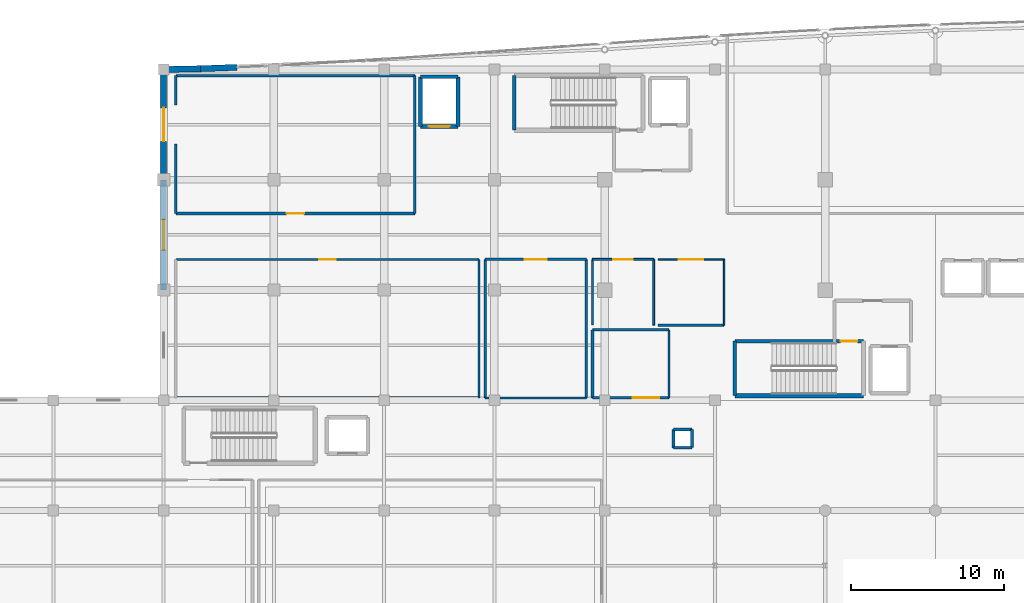
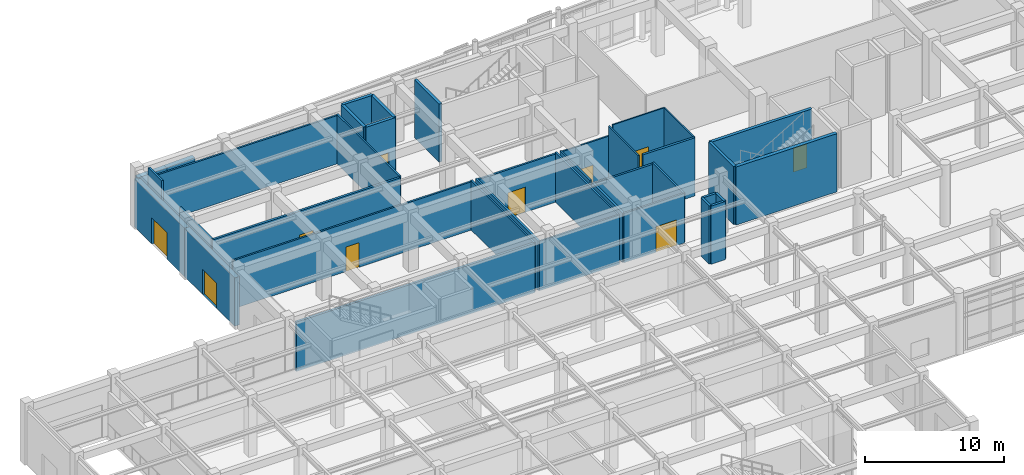
# One storey, part 76 of 102: 38 walls, 10 doors, 10 openings.
"""IFC4 building model written with IfcOpenShell, lengths in metres."""

from ifc_helpers import new_model, si_unit, direction, frame, frame_2d, origin, place, context, subcontext, project, spatial, rectangle, extrude, material, layer, layer_set, type_object, element, fill, save


model = new_model("IFC4")

# Units and contexts
model_context = context("Model", 3, precision=1e-05, world=origin(), true_north=direction((0.0, 1.0)))
body_context = subcontext(model_context, "Body", "Model", "MODEL_VIEW")
ifc_project = project(units=[si_unit("LENGTHUNIT", "METRE"), si_unit("AREAUNIT", "SQUARE_METRE"), si_unit("VOLUMEUNIT", "CUBIC_METRE"), si_unit("PLANEANGLEUNIT", "RADIAN"), si_unit("MASSUNIT", "GRAM", prefix="KILO")], contexts=[model_context])

# Site, building, storey
site_placement = place(None, origin())
site = spatial("IfcSite", under=ifc_project, at=site_placement, CompositionType="ELEMENT")
building_placement = place(site_placement, origin())
building = spatial("IfcBuilding", under=site, at=building_placement, Name="Carrowvane Square Congress Hotel", CompositionType="ELEMENT")
storey_placement = place(building_placement, origin())
storey = spatial("IfcBuildingStorey", under=building, at=storey_placement, Name="L00", CompositionType="ELEMENT", Elevation=0.0)

# Wall, opening, door
ifc_material_1 = material(Name="Glazed terracotta rainscreen", Category="masonry")
ifc_layer_1 = layer(ifc_material_1, 0.39990234375)
ifc_layer_set_1 = layer_set([ifc_layer_1], Name="Glazed terracotta rainscreen")
wall_type_1 = type_object("IfcWallType", Name="WL-EXT-TC400", PredefinedType="STANDARD", material=ifc_layer_set_1)
wall_1_placement = place(storey_placement, frame((33.199951171875, 99.0, 0.0), z_axis=(0.0, 0.0, 1.0), x_axis=(0.0, 1.0, 0.0)))
wall_1 = element("IfcWall", 1, at=wall_1_placement, inside=storey, type_object=wall_type_1, Name="L00 exterior facade wall 148", PredefinedType="STANDARD", context=body_context, shape_type="SweptSolid", body=[
    extrude(rectangle(XDim=7.199951171875, YDim=0.39990234375, at=frame_2d((3.60009765625, 0.0))), origin(), (0.0, 0.0, 1.0), 4.235107421875),
])
opening_1_placement = place(wall_1_placement, frame((2.60009765625, 0.0, 0.0)))
opening_1 = element("IfcOpeningElement", 2, at=opening_1_placement, cuts=wall_1, Name="Opening ED-1", PredefinedType="OPENING", context=body_context, shape_type="SweptSolid", body=[
    extrude(rectangle(XDim=2.0, YDim=2.199951171875, at=frame_2d((1.0, 1.10009765625))), frame((0.0, 0.2099609375, 0.0), z_axis=(0.0, -1.0, 0.0), x_axis=(1.0, 0.0, 0.0)), (0.0, 0.0, 1.0), 0.419921875),
])
ifc_material_2 = material(Name="Anodised aluminium", Category="aluminium")
door_type_1 = type_object("IfcDoorType", Name="DR-EXIT-2000", OperationType="DOUBLE_DOOR_SINGLE_SWING", PredefinedType="DOOR", material=ifc_material_2)
door_1_placement = place(opening_1_placement, origin())
door_1 = element("IfcDoor", 3, at=door_1_placement, inside=storey, type_object=door_type_1, Name="L00 final exit door ED-12", OperationType="DOUBLE_DOOR_SINGLE_SWING", OverallHeight=2.199951171875, OverallWidth=2.0, PredefinedType="DOOR", context=body_context, shape_type="SweptSolid", body=[
    extrude(rectangle(XDim=2.0, YDim=2.199951171875, at=frame_2d((1.0, 1.10009765625))), frame((0.0, 0.02490234375, 0.0), z_axis=(0.0, -1.0, 0.0), x_axis=(1.0, 0.0, 0.0)), (0.0, 0.0, 1.0), 0.050048828125),
])
fill(opening_1, door_1)

wall_2_placement = place(storey_placement, frame((33.199951171875, 106.199951171875, 0.0), z_axis=(0.0, 0.0, 1.0), x_axis=(0.0, 1.0, 0.0)))
wall_2 = element("IfcWall", 4, at=wall_2_placement, inside=storey, type_object=wall_type_1, Name="L00 exterior facade wall 149", PredefinedType="STANDARD", context=body_context, shape_type="SweptSolid", body=[
    extrude(rectangle(XDim=7.199951171875, YDim=0.39990234375, at=frame_2d((3.60009765625, 0.0))), origin(), (0.0, 0.0, 1.0), 4.235107421875),
])
opening_2_placement = place(wall_2_placement, frame((2.5, 0.0, 0.0)))
opening_2 = element("IfcOpeningElement", 5, at=opening_2_placement, cuts=wall_2, Name="Opening ED-2", PredefinedType="OPENING", context=body_context, shape_type="SweptSolid", body=[
    extrude(rectangle(XDim=2.199951171875, YDim=2.300048828125, at=frame_2d((1.10009765625, 1.14990234375))), frame((0.0, 0.2099609375, 0.0), z_axis=(0.0, -1.0, 0.0), x_axis=(1.0, 0.0, 0.0)), (0.0, 0.0, 1.0), 0.419921875),
])
ifc_material_3 = material(Name="Anodised aluminium", Category="aluminium")
door_type_2 = type_object("IfcDoorType", Name="DR-EXIT-2200", OperationType="DOUBLE_DOOR_SINGLE_SWING", PredefinedType="DOOR", material=ifc_material_3)
door_2_placement = place(opening_2_placement, origin())
door_2 = element("IfcDoor", 6, at=door_2_placement, inside=storey, type_object=door_type_2, Name="L00 final exit door ED-13", OperationType="DOUBLE_DOOR_SINGLE_SWING", OverallHeight=2.300048828125, OverallWidth=2.199951171875, PredefinedType="DOOR", context=body_context, shape_type="SweptSolid", body=[
    extrude(rectangle(XDim=2.199951171875, YDim=2.300048828125, at=frame_2d((1.10009765625, 1.14990234375))), frame((0.0, 0.02490234375, 0.0), z_axis=(0.0, -1.0, 0.0), x_axis=(1.0, 0.0, 0.0)), (0.0, 0.0, 1.0), 0.050048828125),
])
fill(opening_2, door_2)

# Walls
wall_3_placement = place(storey_placement, frame((33.199951171875, 113.39990234375, 0.0), z_axis=(0.0, 0.0, 1.0), x_axis=(0.999767568547, 0.021559426766, 0.0)))
element("IfcWall", 7, at=wall_3_placement, inside=storey, type_object=wall_type_1, Name="L00 exterior facade wall 150", PredefinedType="STANDARD", context=body_context, shape_type="SweptSolid", body=[
    extrude(rectangle(XDim=2.400634765625, YDim=0.39990234375, at=frame_2d((1.2001953125, 0.0))), origin(), (0.0, 0.0, 1.0), 4.3349609375),
])
wall_4_placement = place(storey_placement, frame((35.60009765625, 113.45166015625, 0.0), z_axis=(0.0, 0.0, 1.0), x_axis=(0.99930757318, 0.037207179225, 0.0)))
element("IfcWall", 8, at=wall_4_placement, inside=storey, type_object=wall_type_1, Name="L00 exterior facade wall 151", PredefinedType="STANDARD", context=body_context, shape_type="SweptSolid", body=[
    extrude(rectangle(XDim=2.401611328125, YDim=0.39990234375, at=frame_2d((1.20068359375, 0.0))), origin(), (0.0, 0.0, 1.0), 4.3349609375),
])

# Wall, opening, door
ifc_material_4 = material(Name="Acoustic gypsum board", Category="gypsum")
ifc_layer_2 = layer(ifc_material_4, 0.155029296875)
ifc_layer_set_2 = layer_set([ifc_layer_2], Name="Acoustic gypsum board")
wall_type_2 = type_object("IfcWallType", Name="WL-FIR-155", PredefinedType="PARTITIONING", material=ifc_layer_set_2)
wall_5_placement = place(storey_placement, frame((54.199951171875, 101.0, 0.0), z_axis=(0.0, 0.0, 1.0), x_axis=(1.0, 0.0, 0.0)))
wall_5 = element("IfcWall", 9, at=wall_5_placement, inside=storey, type_object=wall_type_2, Name="L00 Fire Command Centre partition", PredefinedType="PARTITIONING", context=body_context, shape_type="SweptSolid", body=[
    extrude(rectangle(XDim=6.60009765625, YDim=0.155029296875, at=frame_2d((3.300048828125, 0.0))), origin(), (0.0, 0.0, 1.0), 4.235107421875),
])
opening_3_placement = place(wall_5_placement, frame((2.574951171875, 0.0, 0.0)))
opening_3 = element("IfcOpeningElement", 10, at=opening_3_placement, cuts=wall_5, Name="Opening FD-11", PredefinedType="OPENING", context=body_context, shape_type="SweptSolid", body=[
    extrude(rectangle(XDim=1.449951171875, YDim=2.199951171875, at=frame_2d((0.72509765625, 1.10009765625))), frame((0.0, 0.08740234375, 0.0), z_axis=(0.0, -1.0, 0.0), x_axis=(1.0, 0.0, 0.0)), (0.0, 0.0, 1.0), 0.175048828125),
])
ifc_material_5 = material(Name="European oak timber", Category="wood")
door_type_3 = type_object("IfcDoorType", Name="DR-FD30-1450x2200", OperationType="DOUBLE_DOOR_SINGLE_SWING", PredefinedType="DOOR", material=ifc_material_5)
door_3_placement = place(opening_3_placement, origin())
door_3 = element("IfcDoor", 11, at=door_3_placement, inside=storey, type_object=door_type_3, Name="L00 Fire Command Centre entrance door", OperationType="DOUBLE_DOOR_SINGLE_SWING", OverallHeight=2.199951171875, OverallWidth=1.449951171875, PredefinedType="DOOR", context=body_context, shape_type="SweptSolid", body=[
    extrude(rectangle(XDim=1.449951171875, YDim=2.199951171875, at=frame_2d((0.72509765625, 1.10009765625))), frame((0.0, 0.02490234375, 0.0), z_axis=(0.0, -1.0, 0.0), x_axis=(1.0, 0.0, 0.0)), (0.0, 0.0, 1.0), 0.050048828125),
])
fill(opening_3, door_3)

# Walls
wall_6_placement = place(storey_placement, frame((66.199951171875, 96.39990234375, 0.0), z_axis=(0.0, 0.0, 1.0), x_axis=(0.0, -1.0, 0.0)))
element("IfcWall", 12, at=wall_6_placement, inside=storey, type_object=wall_type_2, Name="L00 Changing Places Accessible Toilet partition", PredefinedType="PARTITIONING", context=body_context, shape_type="SweptSolid", body=[
    extrude(rectangle(XDim=4.43994140625, YDim=0.155029296875, at=frame_2d((2.219970703125, 0.0))), origin(), (0.0, 0.0, 1.0), 4.3349609375),
])
wall_7_placement = place(storey_placement, frame((34.0, 111.080078125, 0.0), z_axis=(0.0, 0.0, 1.0), x_axis=(0.0, 1.0, 0.0)))
element("IfcWall", 13, at=wall_7_placement, inside=storey, type_object=wall_type_2, Name="L00 Hotel Front Office Administration partition", PredefinedType="PARTITIONING", context=body_context, shape_type="SweptSolid", body=[
    extrude(rectangle(XDim=1.919921875, YDim=0.155029296875, at=frame_2d((0.9599609375, 0.0))), origin(), (0.0, 0.0, 1.0), 5.10009765625),
])
ifc_material_6 = material(Name="Acoustic gypsum board", Category="gypsum")
ifc_layer_3 = layer(ifc_material_6, 0.169921875)
ifc_layer_set_3 = layer_set([ifc_layer_3], Name="Acoustic gypsum board")
wall_type_3 = type_object("IfcWallType", Name="WL-FIR-170", PredefinedType="PARTITIONING", material=ifc_layer_set_3)
wall_8_placement = place(storey_placement, frame((54.199951171875, 91.9599609375, 0.0), z_axis=(0.0, 0.0, 1.0), x_axis=(0.0, 1.0, 0.0)))
element("IfcWall", 14, at=wall_8_placement, inside=storey, type_object=wall_type_3, Name="L00 Fire Command Centre partition", PredefinedType="PARTITIONING", context=body_context, shape_type="SweptSolid", body=[
    extrude(rectangle(XDim=9.0400390625, YDim=0.169921875, at=frame_2d((4.52001953125, 0.0))), origin(), (0.0, 0.0, 1.0), 4.3349609375),
])
wall_9_placement = place(storey_placement, frame((61.199951171875, 96.39990234375, 0.0), z_axis=(0.0, 0.0, 1.0), x_axis=(1.0, 0.0, 0.0)))
element("IfcWall", 15, at=wall_9_placement, inside=storey, type_object=wall_type_3, Name="L00 Changing Places Accessible Toilet partition", PredefinedType="PARTITIONING", context=body_context, shape_type="SweptSolid", body=[
    extrude(rectangle(XDim=5.0, YDim=0.169921875, at=frame_2d((2.5, 0.0))), origin(), (0.0, 0.0, 1.0), 4.235107421875),
])
wall_10_placement = place(storey_placement, frame((34.0, 104.0, 0.0), z_axis=(0.0, 0.0, 1.0), x_axis=(0.0, 1.0, 0.0)))
element("IfcWall", 16, at=wall_10_placement, inside=storey, type_object=wall_type_3, Name="L00 Hotel Front Office Administration partition", PredefinedType="PARTITIONING", context=body_context, shape_type="SweptSolid", body=[
    extrude(rectangle(XDim=4.52001953125, YDim=0.169921875, at=frame_2d((2.260009765625, 0.0))), origin(), (0.0, 0.0, 1.0), 4.3349609375),
])
ifc_material_7 = material(Name="Acoustic gypsum board", Category="gypsum")
ifc_layer_4 = layer(ifc_material_7, 0.18505859375)
ifc_layer_set_4 = layer_set([ifc_layer_4], Name="Acoustic gypsum board")
wall_type_4 = type_object("IfcWallType", Name="WL-FIR-185", PredefinedType="PARTITIONING", material=ifc_layer_set_4)
wall_11_placement = place(storey_placement, frame((61.199951171875, 91.9599609375, 0.0), z_axis=(0.0, 0.0, 1.0), x_axis=(0.0, 1.0, 0.0)))
element("IfcWall", 17, at=wall_11_placement, inside=storey, type_object=wall_type_4, Name="L00 Changing Places Accessible Toilet partition", PredefinedType="PARTITIONING", context=body_context, shape_type="SweptSolid", body=[
    extrude(rectangle(XDim=4.43994140625, YDim=0.18505859375, at=frame_2d((2.219970703125, 0.0))), origin(), (0.0, 0.0, 1.0), 4.3349609375),
])
wall_12_placement = place(storey_placement, frame((69.800048828125, 96.699951171875, 0.0), z_axis=(0.0, 0.0, 1.0), x_axis=(-1.0, 0.0, 0.0)))
element("IfcWall", 18, at=wall_12_placement, inside=storey, type_object=wall_type_4, Name="L00 Hotel Lobby Female Toilets partition", PredefinedType="PARTITIONING", context=body_context, shape_type="SweptSolid", body=[
    extrude(rectangle(XDim=4.300048828125, YDim=0.18505859375, at=frame_2d((2.14990234375, 0.0))), origin(), (0.0, 0.0, 1.0), 5.10009765625),
])
wall_13_placement = place(storey_placement, frame((53.800048828125, 91.9599609375, 0.0), z_axis=(0.0, 0.0, 1.0), x_axis=(-1.0, 0.0, 0.0)))
element("IfcWall", 19, at=wall_13_placement, inside=storey, type_object=wall_type_4, Name="L00 Concierge and Guest Luggage Room partition", PredefinedType="PARTITIONING", context=body_context, shape_type="SweptSolid", body=[
    extrude(rectangle(XDim=19.800048828125, YDim=0.18505859375, at=frame_2d((9.89990234375, 0.0))), origin(), (0.0, 0.0, 1.0), 4.3349609375),
])

# Wall, opening, door
wall_14_placement = place(storey_placement, frame((49.60009765625, 104.0, 0.0), z_axis=(0.0, 0.0, 1.0), x_axis=(-1.0, 0.0, 0.0)))
wall_14 = element("IfcWall", 20, at=wall_14_placement, inside=storey, type_object=wall_type_4, Name="L00 Hotel Front Office Administration partition", PredefinedType="PARTITIONING", context=body_context, shape_type="SweptSolid", body=[
    extrude(rectangle(XDim=15.60009765625, YDim=0.18505859375, at=frame_2d((7.800048828125, 0.0))), origin(), (0.0, 0.0, 1.0), 4.235107421875),
])
opening_4_placement = place(wall_14_placement, frame((7.22509765625, 0.0, 0.0)))
opening_4 = element("IfcOpeningElement", 21, at=opening_4_placement, cuts=wall_14, Name="Opening ID-09", PredefinedType="OPENING", context=body_context, shape_type="SweptSolid", body=[
    extrude(rectangle(XDim=1.14990234375, YDim=2.14990234375, at=frame_2d((0.574951171875, 1.074951171875))), frame((0.0, 0.1025390625, 0.0), z_axis=(0.0, -1.0, 0.0), x_axis=(1.0, 0.0, 0.0)), (0.0, 0.0, 1.0), 0.205078125),
])
ifc_material_8 = material(Name="European oak timber", Category="wood")
door_type_4 = type_object("IfcDoorType", Name="DR-INT-1150x2150", OperationType="NOTDEFINED", PredefinedType="DOOR", material=ifc_material_8)
door_4_placement = place(opening_4_placement, origin())
door_4 = element("IfcDoor", 22, at=door_4_placement, inside=storey, type_object=door_type_4, Name="L00 Hotel Front Office Administration entrance door", OperationType="SINGLE_SWING_RIGHT", OverallHeight=2.14990234375, OverallWidth=1.14990234375, PredefinedType="DOOR", context=body_context, shape_type="SweptSolid", body=[
    extrude(rectangle(XDim=1.14990234375, YDim=2.14990234375, at=frame_2d((0.574951171875, 1.074951171875))), frame((0.0, 0.02490234375, 0.0), z_axis=(0.0, -1.0, 0.0), x_axis=(1.0, 0.0, 0.0)), (0.0, 0.0, 1.0), 0.050048828125),
])
fill(opening_4, door_4)

# Walls
ifc_material_9 = material(Name="Standing-seam zinc cladding", Category="metal")
ifc_layer_5 = layer(ifc_material_9, 0.195068359375)
ifc_layer_set_5 = layer_set([ifc_layer_5], Name="Standing-seam zinc cladding")
wall_type_5 = type_object("IfcWallType", Name="WL-PAR-195", PredefinedType="PARAPET", material=ifc_layer_set_5)
for number, where, z_axis, x_axis, name in (
    (23, (66.5, 88.699951171875, 0.0), (0.0, 0.0, 1.0), (1.0, 0.0, 0.0), "L00 service riser RSR-V4 enclosure S"),
    (24, (67.699951171875, 88.699951171875, 0.0), (0.0, 0.0, 1.0), (0.0, 1.0, 0.0), "L00 service riser RSR-V4 enclosure E"),
    (25, (67.699951171875, 89.89990234375, 0.0), (0.0, 0.0, 1.0), (-1.0, 0.0, 0.0), "L00 service riser RSR-V4 enclosure N"),
    (26, (66.5, 89.89990234375, 0.0), (0.0, 0.0, 1.0), (0.0, -1.0, 0.0), "L00 service riser RSR-V4 enclosure W"),
):
    element("IfcWall", number, at=place(storey_placement, frame(where, z_axis=z_axis, x_axis=x_axis)), inside=storey, type_object=wall_type_5, Name=name, PredefinedType="PARAPET", context=body_context, shape_type="SweptSolid", body=[
        extrude(rectangle(XDim=1.199951171875, YDim=0.195068359375, at=frame_2d((0.60009765625, 0.0))), origin(), (0.0, 0.0, 1.0), 5.10009765625),
    ])
ifc_material_10 = material(Name="Acoustic gypsum board", Category="gypsum")
ifc_layer_6 = layer(ifc_material_10, 0.097900390625)
ifc_layer_set_6 = layer_set([ifc_layer_6], Name="Acoustic gypsum board")
wall_type_6 = type_object("IfcWallType", Name="WL-PRT-098", PredefinedType="PARTITIONING", material=ifc_layer_set_6)
wall_15_placement = place(storey_placement, frame((69.800048828125, 101.0, 0.0), z_axis=(0.0, 0.0, 1.0), x_axis=(0.0, -1.0, 0.0)))
element("IfcWall", 27, at=wall_15_placement, inside=storey, type_object=wall_type_6, Name="L00 Hotel Lobby Female Toilets partition", PredefinedType="PARTITIONING", context=body_context, shape_type="SweptSolid", body=[
    extrude(rectangle(XDim=4.300048828125, YDim=0.097900390625, at=frame_2d((2.14990234375, 0.0))), origin(), (0.0, 0.0, 1.0), 5.10009765625),
])

# Wall, opening, door
ifc_material_11 = material(Name="Acoustic gypsum board", Category="gypsum")
ifc_layer_7 = layer(ifc_material_11, 0.10791015625)
ifc_layer_set_7 = layer_set([ifc_layer_7], Name="Acoustic gypsum board")
wall_type_7 = type_object("IfcWallType", Name="WL-PRT-108", PredefinedType="PARTITIONING", material=ifc_layer_set_7)
wall_16_placement = place(storey_placement, frame((65.5, 101.0, 0.0), z_axis=(0.0, 0.0, 1.0), x_axis=(1.0, 0.0, 0.0)))
wall_16 = element("IfcWall", 28, at=wall_16_placement, inside=storey, type_object=wall_type_7, Name="L00 Hotel Lobby Female Toilets partition", PredefinedType="PARTITIONING", context=body_context, shape_type="SweptSolid", body=[
    extrude(rectangle(XDim=4.300048828125, YDim=0.10791015625, at=frame_2d((2.14990234375, 0.0))), origin(), (0.0, 0.0, 1.0), 5.10009765625),
])
opening_5_placement = place(wall_16_placement, frame((1.35009765625, 0.0, 0.0)))
opening_5 = element("IfcOpeningElement", 29, at=opening_5_placement, cuts=wall_16, Name="Opening FD-04", PredefinedType="OPENING", context=body_context, shape_type="SweptSolid", body=[
    extrude(rectangle(XDim=1.60009765625, YDim=2.14990234375, at=frame_2d((0.800048828125, 1.074951171875))), frame((0.0, 0.06396484375, 0.0), z_axis=(0.0, -1.0, 0.0), x_axis=(1.0, 0.0, 0.0)), (0.0, 0.0, 1.0), 0.1279296875),
])
ifc_material_12 = material(Name="European oak timber", Category="wood")
door_type_5 = type_object("IfcDoorType", Name="DR-FD60-1600x2150", OperationType="DOUBLE_DOOR_SINGLE_SWING", PredefinedType="DOOR", material=ifc_material_12)
door_5_placement = place(opening_5_placement, origin())
door_5 = element("IfcDoor", 30, at=door_5_placement, inside=storey, type_object=door_type_5, Name="L00 Hotel Lobby Female Toilets entrance door", OperationType="DOUBLE_DOOR_SINGLE_SWING", OverallHeight=2.14990234375, OverallWidth=1.60009765625, PredefinedType="DOOR", context=body_context, shape_type="SweptSolid", body=[
    extrude(rectangle(XDim=1.60009765625, YDim=2.14990234375, at=frame_2d((0.800048828125, 1.074951171875))), frame((0.0, 0.02490234375, 0.0), z_axis=(0.0, -1.0, 0.0), x_axis=(1.0, 0.0, 0.0)), (0.0, 0.0, 1.0), 0.050048828125),
])
fill(opening_5, door_5)

# Wall
ifc_material_13 = material(Name="Acoustic gypsum board", Category="gypsum")
ifc_layer_8 = layer(ifc_material_13, 0.117919921875)
ifc_layer_set_8 = layer_set([ifc_layer_8], Name="Acoustic gypsum board")
wall_type_8 = type_object("IfcWallType", Name="WL-PRT-118", PredefinedType="PARTITIONING", material=ifc_layer_set_8)
wall_17_placement = place(storey_placement, frame((65.199951171875, 101.0, 0.0), z_axis=(0.0, 0.0, 1.0), x_axis=(0.0, -1.0, 0.0)))
element("IfcWall", 31, at=wall_17_placement, inside=storey, type_object=wall_type_8, Name="L00 Hotel Lobby Male Toilets partition", PredefinedType="PARTITIONING", context=body_context, shape_type="SweptSolid", body=[
    extrude(rectangle(XDim=4.300048828125, YDim=0.117919921875, at=frame_2d((2.14990234375, 0.0))), origin(), (0.0, 0.0, 1.0), 5.10009765625),
])

# Wall, opening, door
ifc_material_14 = material(Name="Acoustic gypsum board", Category="gypsum")
ifc_layer_9 = layer(ifc_material_14, 0.1279296875)
ifc_layer_set_9 = layer_set([ifc_layer_9], Name="Acoustic gypsum board")
wall_type_9 = type_object("IfcWallType", Name="WL-PRT-128", PredefinedType="PARTITIONING", material=ifc_layer_set_9)
wall_18_placement = place(storey_placement, frame((61.199951171875, 101.0, 0.0), z_axis=(0.0, 0.0, 1.0), x_axis=(1.0, 0.0, 0.0)))
wall_18 = element("IfcWall", 32, at=wall_18_placement, inside=storey, type_object=wall_type_9, Name="L00 Hotel Lobby Male Toilets partition", PredefinedType="PARTITIONING", context=body_context, shape_type="SweptSolid", body=[
    extrude(rectangle(XDim=4.0, YDim=0.1279296875, at=frame_2d((2.0, 0.0))), origin(), (0.0, 0.0, 1.0), 4.235107421875),
])
opening_6_placement = place(wall_18_placement, frame((1.35009765625, 0.0, 0.0)))
opening_6 = element("IfcOpeningElement", 33, at=opening_6_placement, cuts=wall_18, Name="Opening FD-03", PredefinedType="OPENING", context=body_context, shape_type="SweptSolid", body=[
    extrude(rectangle(XDim=1.300048828125, YDim=2.14990234375, at=frame_2d((0.64990234375, 1.074951171875))), frame((0.0, 0.073974609375, 0.0), z_axis=(0.0, -1.0, 0.0), x_axis=(1.0, 0.0, 0.0)), (0.0, 0.0, 1.0), 0.14794921875),
])
ifc_material_15 = material(Name="European oak timber", Category="wood")
door_type_6 = type_object("IfcDoorType", Name="DR-FD60-1300x2150", OperationType="NOTDEFINED", PredefinedType="DOOR", material=ifc_material_15)
door_6_placement = place(opening_6_placement, origin())
door_6 = element("IfcDoor", 34, at=door_6_placement, inside=storey, type_object=door_type_6, Name="L00 Hotel Lobby Male Toilets entrance door", OperationType="SINGLE_SWING_RIGHT", OverallHeight=2.14990234375, OverallWidth=1.300048828125, PredefinedType="DOOR", context=body_context, shape_type="SweptSolid", body=[
    extrude(rectangle(XDim=1.300048828125, YDim=2.14990234375, at=frame_2d((0.64990234375, 1.074951171875))), frame((0.0, 0.02490234375, 0.0), z_axis=(0.0, -1.0, 0.0), x_axis=(1.0, 0.0, 0.0)), (0.0, 0.0, 1.0), 0.050048828125),
])
fill(opening_6, door_6)

# Walls
ifc_material_16 = material(Name="Acoustic gypsum board", Category="gypsum")
ifc_layer_10 = layer(ifc_material_16, 0.137939453125)
ifc_layer_set_10 = layer_set([ifc_layer_10], Name="Acoustic gypsum board")
wall_type_10 = type_object("IfcWallType", Name="WL-PRT-138", PredefinedType="PARTITIONING", material=ifc_layer_set_10)
wall_19_placement = place(storey_placement, frame((60.800048828125, 91.9599609375, 0.0), z_axis=(0.0, 0.0, 1.0), x_axis=(-1.0, 0.0, 0.0)))
element("IfcWall", 35, at=wall_19_placement, inside=storey, type_object=wall_type_10, Name="L00 Fire Command Centre partition", PredefinedType="PARTITIONING", context=body_context, shape_type="SweptSolid", body=[
    extrude(rectangle(XDim=6.60009765625, YDim=0.137939453125, at=frame_2d((3.300048828125, 0.0))), origin(), (0.0, 0.0, 1.0), 4.3349609375),
])
wall_20_placement = place(storey_placement, frame((61.199951171875, 96.699951171875, 0.0), z_axis=(0.0, 0.0, 1.0), x_axis=(0.0, 1.0, 0.0)))
element("IfcWall", 36, at=wall_20_placement, inside=storey, type_object=wall_type_10, Name="L00 Hotel Lobby Male Toilets partition", PredefinedType="PARTITIONING", context=body_context, shape_type="SweptSolid", body=[
    extrude(rectangle(XDim=4.300048828125, YDim=0.137939453125, at=frame_2d((2.14990234375, 0.0))), origin(), (0.0, 0.0, 1.0), 4.3349609375),
])
wall_21_placement = place(storey_placement, frame((53.800048828125, 101.0, 0.0), z_axis=(0.0, 0.0, 1.0), x_axis=(0.0, -1.0, 0.0)))
element("IfcWall", 37, at=wall_21_placement, inside=storey, type_object=wall_type_10, Name="L00 Concierge and Guest Luggage Room partition", PredefinedType="PARTITIONING", context=body_context, shape_type="SweptSolid", body=[
    extrude(rectangle(XDim=9.0400390625, YDim=0.137939453125, at=frame_2d((4.52001953125, 0.0))), origin(), (0.0, 0.0, 1.0), 4.3349609375),
])
wall_22_placement = place(storey_placement, frame((49.60009765625, 113.0, 0.0), z_axis=(0.0, 0.0, 1.0), x_axis=(0.0, -1.0, 0.0)))
element("IfcWall", 38, at=wall_22_placement, inside=storey, type_object=wall_type_10, Name="L00 Hotel Front Office Administration partition", PredefinedType="PARTITIONING", context=body_context, shape_type="SweptSolid", body=[
    extrude(rectangle(XDim=9.0, YDim=0.137939453125, at=frame_2d((4.5, 0.0))), origin(), (0.0, 0.0, 1.0), 4.3349609375),
])
ifc_material_17 = material(Name="Acoustic gypsum board", Category="gypsum")
ifc_layer_11 = layer(ifc_material_17, 0.14794921875)
ifc_layer_set_11 = layer_set([ifc_layer_11], Name="Acoustic gypsum board")
wall_type_11 = type_object("IfcWallType", Name="WL-PRT-148", PredefinedType="PARTITIONING", material=ifc_layer_set_11)
wall_23_placement = place(storey_placement, frame((60.800048828125, 101.0, 0.0), z_axis=(0.0, 0.0, 1.0), x_axis=(0.0, -1.0, 0.0)))
element("IfcWall", 39, at=wall_23_placement, inside=storey, type_object=wall_type_11, Name="L00 Fire Command Centre partition", PredefinedType="PARTITIONING", context=body_context, shape_type="SweptSolid", body=[
    extrude(rectangle(XDim=9.0400390625, YDim=0.14794921875, at=frame_2d((4.52001953125, 0.0))), origin(), (0.0, 0.0, 1.0), 4.3349609375),
])

# Wall, opening, door
wall_24_placement = place(storey_placement, frame((66.199951171875, 91.9599609375, 0.0), z_axis=(0.0, 0.0, 1.0), x_axis=(-1.0, 0.0, 0.0)))
wall_24 = element("IfcWall", 40, at=wall_24_placement, inside=storey, type_object=wall_type_11, Name="L00 Changing Places Accessible Toilet partition", PredefinedType="PARTITIONING", context=body_context, shape_type="SweptSolid", body=[
    extrude(rectangle(XDim=5.0, YDim=0.14794921875, at=frame_2d((2.5, 0.0))), origin(), (0.0, 0.0, 1.0), 4.3349609375),
])
opening_7_placement = place(wall_24_placement, frame((0.64990234375, 0.0, 0.0)))
opening_7 = element("IfcOpeningElement", 41, at=opening_7_placement, cuts=wall_24, Name="Opening FD-12", PredefinedType="OPENING", context=body_context, shape_type="SweptSolid", body=[
    extrude(rectangle(XDim=1.699951171875, YDim=2.25, at=frame_2d((0.85009765625, 1.125))), frame((0.0, 0.083984375, 0.0), z_axis=(0.0, -1.0, 0.0), x_axis=(1.0, 0.0, 0.0)), (0.0, 0.0, 1.0), 0.16796875),
])
ifc_material_18 = material(Name="European oak timber", Category="wood")
door_type_7 = type_object("IfcDoorType", Name="DR-FD30-1700x2250", OperationType="DOUBLE_DOOR_SINGLE_SWING", PredefinedType="DOOR", material=ifc_material_18)
door_7_placement = place(opening_7_placement, origin())
door_7 = element("IfcDoor", 42, at=door_7_placement, inside=storey, type_object=door_type_7, Name="L00 Changing Places Accessible Toilet entrance door", OperationType="DOUBLE_DOOR_SINGLE_SWING", OverallHeight=2.25, OverallWidth=1.699951171875, PredefinedType="DOOR", context=body_context, shape_type="SweptSolid", body=[
    extrude(rectangle(XDim=1.699951171875, YDim=2.25, at=frame_2d((0.85009765625, 1.125))), frame((0.0, 0.02490234375, 0.0), z_axis=(0.0, -1.0, 0.0), x_axis=(1.0, 0.0, 0.0)), (0.0, 0.0, 1.0), 0.050048828125),
])
fill(opening_7, door_7)

wall_25_placement = place(storey_placement, frame((34.0, 101.0, 0.0), z_axis=(0.0, 0.0, 1.0), x_axis=(1.0, 0.0, 0.0)))
wall_25 = element("IfcWall", 43, at=wall_25_placement, inside=storey, type_object=wall_type_11, Name="L00 Concierge and Guest Luggage Room partition", PredefinedType="PARTITIONING", context=body_context, shape_type="SweptSolid", body=[
    extrude(rectangle(XDim=19.800048828125, YDim=0.14794921875, at=frame_2d((9.89990234375, 0.0))), origin(), (0.0, 0.0, 1.0), 4.235107421875),
])
opening_8_placement = place(wall_25_placement, frame((9.360107421875, 0.0, 0.0)))
opening_8 = element("IfcOpeningElement", 44, at=opening_8_placement, cuts=wall_25, Name="Opening ID-08", PredefinedType="OPENING", context=body_context, shape_type="SweptSolid", body=[
    extrude(rectangle(XDim=1.080078125, YDim=2.14990234375, at=frame_2d((0.5400390625, 1.074951171875))), frame((0.0, 0.083984375, 0.0), z_axis=(0.0, -1.0, 0.0), x_axis=(1.0, 0.0, 0.0)), (0.0, 0.0, 1.0), 0.16796875),
])
ifc_material_19 = material(Name="European oak timber", Category="wood")
door_type_8 = type_object("IfcDoorType", Name="DR-INT-1080x2150", OperationType="NOTDEFINED", PredefinedType="DOOR", material=ifc_material_19)
door_8_placement = place(opening_8_placement, origin())
door_8 = element("IfcDoor", 45, at=door_8_placement, inside=storey, type_object=door_type_8, Name="L00 Concierge and Guest Luggage Room entrance door", OperationType="SINGLE_SWING_LEFT", OverallHeight=2.14990234375, OverallWidth=1.080078125, PredefinedType="DOOR", context=body_context, shape_type="SweptSolid", body=[
    extrude(rectangle(XDim=1.080078125, YDim=2.14990234375, at=frame_2d((0.5400390625, 1.074951171875))), frame((0.0, 0.02490234375, 0.0), z_axis=(0.0, -1.0, 0.0), x_axis=(1.0, 0.0, 0.0)), (0.0, 0.0, 1.0), 0.050048828125),
])
fill(opening_8, door_8)

# Walls
wall_26_placement = place(storey_placement, frame((34.0, 113.0, 0.0), z_axis=(0.0, 0.0, 1.0), x_axis=(1.0, 0.0, 0.0)))
element("IfcWall", 46, at=wall_26_placement, inside=storey, type_object=wall_type_11, Name="L00 Hotel Front Office Administration partition", PredefinedType="PARTITIONING", context=body_context, shape_type="SweptSolid", body=[
    extrude(rectangle(XDim=15.60009765625, YDim=0.14794921875, at=frame_2d((7.800048828125, 0.0))), origin(), (0.0, 0.0, 1.0), 4.235107421875),
])
ifc_material_20 = material(Name="Concrete C40/50", Category="concrete")
ifc_layer_12 = layer(ifc_material_20, 0.22509765625)
ifc_layer_set_12 = layer_set([ifc_layer_12], Name="Concrete C40/50")
wall_type_12 = type_object("IfcWallType", Name="WL-SHR-225", PredefinedType="SHEAR", material=ifc_layer_set_12)
wall_27_placement = place(storey_placement, frame((56.10009765625, 113.0, 0.0), z_axis=(0.0, 0.0, 1.0), x_axis=(0.0, -1.0, 0.0)))
element("IfcWall", 47, at=wall_27_placement, inside=storey, type_object=wall_type_12, Name="L00 ST1 core wall west", PredefinedType="SHEAR", context=body_context, shape_type="SweptSolid", body=[
    extrude(rectangle(XDim=3.56005859375, YDim=0.22509765625, at=frame_2d((1.780029296875, 0.0))), origin(), (0.0, 0.0, 1.0), 5.10009765625),
])
wall_28_placement = place(storey_placement, frame((70.5, 95.659912109375, 0.0), z_axis=(0.0, 0.0, 1.0), x_axis=(0.0, -1.0, 0.0)))
element("IfcWall", 48, at=wall_28_placement, inside=storey, type_object=wall_type_12, Name="L00 ST2 core wall west", PredefinedType="SHEAR", context=body_context, shape_type="SweptSolid", body=[
    extrude(rectangle(XDim=3.559814453125, YDim=0.22509765625, at=frame_2d((1.77978515625, 0.0))), origin(), (0.0, 0.0, 1.0), 5.10009765625),
])

# Wall, opening, door
ifc_material_21 = material(Name="Concrete C40/50", Category="concrete")
ifc_layer_13 = layer(ifc_material_21, 0.25)
ifc_layer_set_13 = layer_set([ifc_layer_13], Name="Concrete C40/50")
wall_type_13 = type_object("IfcWallType", Name="WL-SHR-250", PredefinedType="SHEAR", material=ifc_layer_set_13)
wall_29_placement = place(storey_placement, frame((78.89990234375, 95.659912109375, 0.0), z_axis=(0.0, 0.0, 1.0), x_axis=(-1.0, 0.0, 0.0)))
wall_29 = element("IfcWall", 49, at=wall_29_placement, inside=storey, type_object=wall_type_13, Name="L00 ST2 core wall north", PredefinedType="SHEAR", context=body_context, shape_type="SweptSolid", body=[
    extrude(rectangle(XDim=8.39990234375, YDim=0.25, at=frame_2d((4.199951171875, 0.0))), origin(), (0.0, 0.0, 1.0), 5.10009765625),
])
opening_9_placement = place(wall_29_placement, frame((0.389892578125, 0.0, 0.0)))
opening_9 = element("IfcOpeningElement", 50, at=opening_9_placement, cuts=wall_29, Name="Opening FD-01", PredefinedType="OPENING", context=body_context, shape_type="SweptSolid", body=[
    extrude(rectangle(XDim=1.10009765625, YDim=2.10009765625, at=frame_2d((0.550048828125, 1.050048828125))), frame((0.0, 0.135009765625, 0.0), z_axis=(0.0, -1.0, 0.0), x_axis=(1.0, 0.0, 0.0)), (0.0, 0.0, 1.0), 0.27001953125),
])
ifc_material_22 = material(Name="European oak timber", Category="wood")
door_type_9 = type_object("IfcDoorType", Name="DR-FD60-1100x2100", OperationType="NOTDEFINED", PredefinedType="DOOR", material=ifc_material_22)
door_9_placement = place(opening_9_placement, origin())
door_9 = element("IfcDoor", 51, at=door_9_placement, inside=storey, type_object=door_type_9, Name="L00 ST2 fire door", OperationType="SINGLE_SWING_LEFT", OverallHeight=2.10009765625, OverallWidth=1.10009765625, PredefinedType="DOOR", context=body_context, shape_type="SweptSolid", body=[
    extrude(rectangle(XDim=1.10009765625, YDim=2.10009765625, at=frame_2d((0.550048828125, 1.050048828125))), frame((0.0, 0.02490234375, 0.0), z_axis=(0.0, -1.0, 0.0), x_axis=(1.0, 0.0, 0.0)), (0.0, 0.0, 1.0), 0.050048828125),
])
fill(opening_9, door_9)

wall_30_placement = place(storey_placement, frame((49.97509765625, 109.675048828125, 0.0), z_axis=(0.0, 0.0, 1.0), x_axis=(1.0, 0.0, 0.0)))
wall_30 = element("IfcWall", 52, at=wall_30_placement, inside=storey, type_object=wall_type_13, Name="L00 SL-1 shaft wall south", PredefinedType="SHEAR", context=body_context, shape_type="SweptSolid", body=[
    extrude(rectangle(XDim=2.449951171875, YDim=0.25, at=frame_2d((1.22509765625, 0.0))), origin(), (0.0, 0.0, 1.0), 5.10009765625),
])
opening_10_placement = place(wall_30_placement, frame((0.550048828125, 0.0, 0.0)))
opening_10 = element("IfcOpeningElement", 53, at=opening_10_placement, cuts=wall_30, Name="Opening LD-SL-1", PredefinedType="OPENING", context=body_context, shape_type="SweptSolid", body=[
    extrude(rectangle(XDim=1.35009765625, YDim=2.199951171875, at=frame_2d((0.675048828125, 1.10009765625))), frame((0.0, 0.135009765625, 0.0), z_axis=(0.0, -1.0, 0.0), x_axis=(1.0, 0.0, 0.0)), (0.0, 0.0, 1.0), 0.27001953125),
])
ifc_material_23 = material(Name="Stainless steel 316", Category="steel")
door_type_10 = type_object("IfcDoorType", Name="DR-LD-1350x2200", OperationType="DOUBLE_DOOR_SLIDING", PredefinedType="DOOR", material=ifc_material_23)
door_10_placement = place(opening_10_placement, origin())
door_10 = element("IfcDoor", 54, at=door_10_placement, inside=storey, type_object=door_type_10, Name="L00 SL-1 sliding lift landing door", OperationType="DOUBLE_DOOR_SLIDING", OverallHeight=2.199951171875, OverallWidth=1.35009765625, PredefinedType="DOOR", context=body_context, shape_type="SweptSolid", body=[
    extrude(rectangle(XDim=1.35009765625, YDim=2.199951171875, at=frame_2d((0.675048828125, 1.10009765625))), frame((0.0, 0.02490234375, 0.0), z_axis=(0.0, -1.0, 0.0), x_axis=(1.0, 0.0, 0.0)), (0.0, 0.0, 1.0), 0.050048828125),
])
fill(opening_10, door_10)

# Walls
wall_31_placement = place(storey_placement, frame((52.425048828125, 109.675048828125, 0.0), z_axis=(0.0, 0.0, 1.0), x_axis=(0.0, 1.0, 0.0)))
element("IfcWall", 55, at=wall_31_placement, inside=storey, type_object=wall_type_13, Name="L00 SL-1 shaft wall east", PredefinedType="SHEAR", context=body_context, shape_type="SweptSolid", body=[
    extrude(rectangle(XDim=3.25, YDim=0.25, at=frame_2d((1.625, 0.0))), origin(), (0.0, 0.0, 1.0), 5.10009765625),
])
wall_32_placement = place(storey_placement, frame((52.425048828125, 112.925048828125, 0.0), z_axis=(0.0, 0.0, 1.0), x_axis=(-1.0, 0.0, 0.0)))
element("IfcWall", 56, at=wall_32_placement, inside=storey, type_object=wall_type_13, Name="L00 SL-1 shaft wall north", PredefinedType="SHEAR", context=body_context, shape_type="SweptSolid", body=[
    extrude(rectangle(XDim=2.449951171875, YDim=0.25, at=frame_2d((1.22509765625, 0.0))), origin(), (0.0, 0.0, 1.0), 5.10009765625),
])
wall_33_placement = place(storey_placement, frame((49.97509765625, 112.925048828125, 0.0), z_axis=(0.0, 0.0, 1.0), x_axis=(0.0, -1.0, 0.0)))
element("IfcWall", 57, at=wall_33_placement, inside=storey, type_object=wall_type_13, Name="L00 SL-1 shaft wall west", PredefinedType="SHEAR", context=body_context, shape_type="SweptSolid", body=[
    extrude(rectangle(XDim=3.25, YDim=0.25, at=frame_2d((1.625, 0.0))), origin(), (0.0, 0.0, 1.0), 5.10009765625),
])
ifc_material_24 = material(Name="Concrete C40/50", Category="concrete")
ifc_layer_14 = layer(ifc_material_24, 0.300048828125)
ifc_layer_set_14 = layer_set([ifc_layer_14], Name="Concrete C40/50")
wall_type_14 = type_object("IfcWallType", Name="WL-SHR-300", PredefinedType="SHEAR", material=ifc_layer_set_14)
wall_34_placement = place(storey_placement, frame((70.5, 92.10009765625, 0.0), z_axis=(0.0, 0.0, 1.0), x_axis=(1.0, 0.0, 0.0)))
element("IfcWall", 58, at=wall_34_placement, inside=storey, type_object=wall_type_14, Name="L00 ST2 core wall south", PredefinedType="SHEAR", context=body_context, shape_type="SweptSolid", body=[
    extrude(rectangle(XDim=8.39990234375, YDim=0.300048828125, at=frame_2d((4.199951171875, 0.0))), origin(), (0.0, 0.0, 1.0), 5.10009765625),
])

save(model, "model.ifc")
